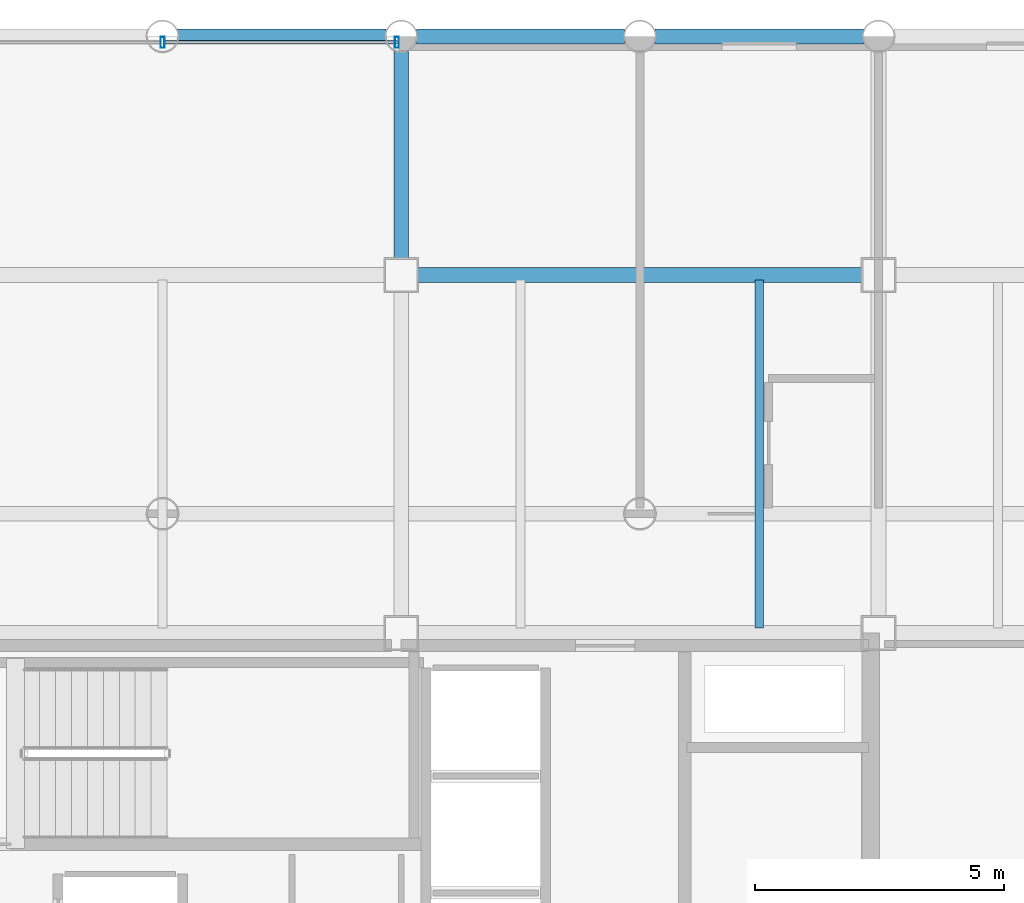
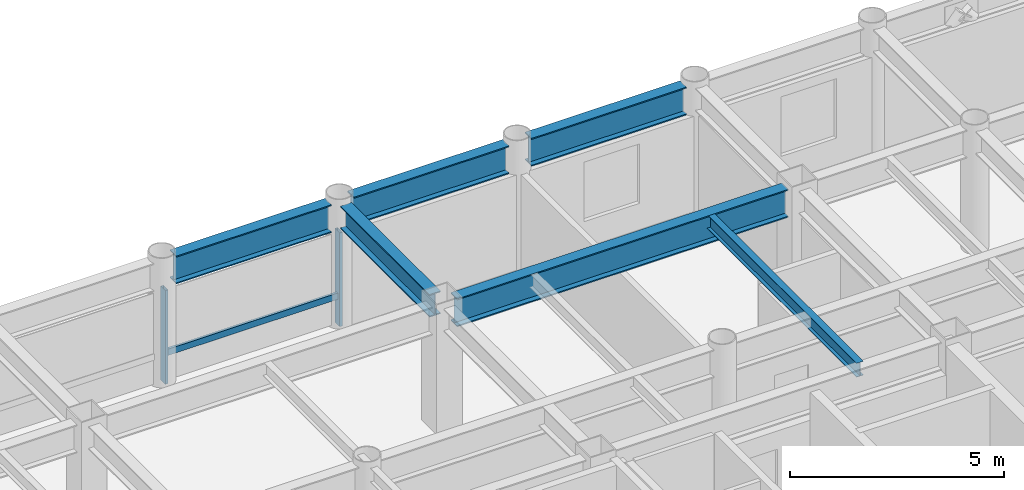
# One storey, part 12 of 19: 6 beams, 3 members, 1 element without a shape of its own.
"""IFC4 building model written with IfcOpenShell, lengths in metres."""

from ifc_helpers import new_model, si_unit, direction, frame, origin, origin_2d, place, context, subcontext, project, spatial, hollow_rectangle, i_section, extrude, material, layer, layer_set, material_profile, profile_set, type_object, element, aggregate, save


model = new_model("IFC4")

# Units and contexts
model_context = context("Model", 3, precision=1e-05, world=origin(), true_north=direction((0.0, 1.0)))
body_context = subcontext(model_context, "Body", "Model", "MODEL_VIEW")
ifc_project = project(units=[si_unit("LENGTHUNIT", "METRE"), si_unit("AREAUNIT", "SQUARE_METRE"), si_unit("VOLUMEUNIT", "CUBIC_METRE"), si_unit("PLANEANGLEUNIT", "RADIAN"), si_unit("MASSUNIT", "GRAM", prefix="KILO")], contexts=[model_context])

# Site, building, storey
site_placement = place(None, origin())
site = spatial("IfcSite", under=ifc_project, at=site_placement, CompositionType="ELEMENT")
building_placement = place(site_placement, origin())
building = spatial("IfcBuilding", under=site, at=building_placement, Name="Kallvorn Hotel Tower", CompositionType="ELEMENT")
storey_placement = place(building_placement, frame((0.0, 0.0, 165.5)))
storey = spatial("IfcBuildingStorey", under=building, at=storey_placement, Name="L41", CompositionType="ELEMENT", Elevation=165.5)

# Beams
ifc_material_1 = material(Name="Structural steel S355JR", Category="steel")
ifc_material_profile_1 = material_profile(ifc_material_1, i_section(OverallWidth=0.300048828125, OverallDepth=0.64990234375, WebThickness=0.01611328125, FlangeThickness=0.031005859375, at=origin_2d()), Name="HE 650 B")
ifc_profile_set_1 = profile_set([ifc_material_profile_1], Name="Structural steel S355JR")
beam_type_1 = type_object("IfcBeamType", Name="BM_HE650B", PredefinedType="BEAM", material=ifc_profile_set_1)
beam_1_placement = place(storey_placement, frame((4.800048828125, 14.72509765625, 3.195068359375), z_axis=(0.0, 1.0, 0.0), x_axis=(-1.0, 0.0, 0.0)))
element("IfcBeam", 1, at=beam_1_placement, inside=storey, type_object=beam_type_1, Name="L42 Primary Y-Girder 118", PredefinedType="BEAM", context=body_context, shape_type="SweptSolid", body=[
    extrude(i_section(OverallWidth=0.300048828125, OverallDepth=0.64990234375, WebThickness=0.01611328125, FlangeThickness=0.031005859375, at=origin_2d()), origin(), (0.0, 0.0, 1.0), 4.169921875),
])
ifc_material_2 = material(Name="Structural steel S355JR", Category="steel")
ifc_material_profile_2 = material_profile(ifc_material_2, i_section(OverallWidth=0.300048828125, OverallDepth=0.800048828125, WebThickness=0.017578125, FlangeThickness=0.032958984375, at=origin_2d()), Name="HE 800 B")
ifc_profile_set_2 = profile_set([ifc_material_profile_2], Name="Structural steel S355JR")
beam_type_2 = type_object("IfcBeamType", Name="BM_HE800B", PredefinedType="BEAM", material=ifc_profile_set_2)
beam_2_placement = place(storey_placement, frame((5.125, 14.39990234375, 3.1201171875), z_axis=(1.0, 0.0, 0.0), x_axis=(0.0, 1.0, 0.0)))
element("IfcBeam", 2, at=beam_2_placement, inside=storey, type_object=beam_type_2, Name="L42 Primary X-Girder 57", PredefinedType="BEAM", context=body_context, shape_type="SweptSolid", body=[
    extrude(i_section(OverallWidth=0.300048828125, OverallDepth=0.800048828125, WebThickness=0.017578125, FlangeThickness=0.032958984375, at=origin_2d()), origin(), (0.0, 0.0, 1.0), 8.949951171875),
])
beam_3_placement = place(storey_placement, frame((0.304931640625, 19.199951171875, 3.1201171875), z_axis=(1.0, 0.0, 0.0), x_axis=(0.0, 1.0, 0.0)))
element("IfcBeam", 3, at=beam_3_placement, inside=storey, type_object=beam_type_2, Name="L42 Primary X-Girder 67", PredefinedType="BEAM", context=body_context, shape_type="SweptSolid", body=[
    extrude(i_section(OverallWidth=0.300048828125, OverallDepth=0.800048828125, WebThickness=0.017578125, FlangeThickness=0.032958984375, at=origin_2d()), origin(), (0.0, 0.0, 1.0), 4.190185546875),
])
for number, where, z_axis, x_axis, name in (
    (4, (5.10498046875, 19.199951171875, 3.1201171875), (1.0, 0.0, 0.0), (0.0, 1.0, 0.0), "L42 Primary X-Girder 68"),
    (5, (9.905029296875, 19.199951171875, 3.1201171875), (1.0, 0.0, 0.0), (0.0, 1.0, 0.0), "L42 Primary X-Girder 69"),
):
    element("IfcBeam", number, at=place(storey_placement, frame(where, z_axis=z_axis, x_axis=x_axis)), inside=storey, type_object=beam_type_2, Name=name, PredefinedType="BEAM", context=body_context, shape_type="SweptSolid", body=[
        extrude(i_section(OverallWidth=0.300048828125, OverallDepth=0.800048828125, WebThickness=0.017578125, FlangeThickness=0.032958984375, at=origin_2d()), origin(), (0.0, 0.0, 1.0), 4.18994140625),
    ])
ifc_material_3 = material(Name="Structural steel S355JR", Category="steel")
ifc_material_profile_3 = material_profile(ifc_material_3, i_section(OverallWidth=0.179931640625, OverallDepth=0.39990234375, WebThickness=0.008544921875, FlangeThickness=0.013427734375, at=origin_2d()), Name="IPE 400")
ifc_profile_set_3 = profile_set([ifc_material_profile_3], Name="Structural steel S355JR")
beam_type_3 = type_object("IfcBeamType", Name="BM_IPE400", PredefinedType="JOIST", material=ifc_profile_set_3)
beam_4_placement = place(storey_placement, frame((12.0, 7.300048828125, 3.320068359375), z_axis=(0.0, 1.0, 0.0), x_axis=(-1.0, 0.0, 0.0)))
element("IfcBeam", 6, at=beam_4_placement, inside=storey, type_object=beam_type_3, Name="L42 Secondary Composite Joist 205", PredefinedType="JOIST", context=body_context, shape_type="SweptSolid", body=[
    extrude(i_section(OverallWidth=0.179931640625, OverallDepth=0.39990234375, WebThickness=0.008544921875, FlangeThickness=0.013427734375, at=origin_2d()), origin(), (0.0, 0.0, 1.0), 7.0),
])

# Curtain wall, members
ifc_material_4 = material(Name="Thermally broken black-anodised aluminium AA 6063-T6", Category="aluminium")
ifc_layer = layer(ifc_material_4, 0.2099609375)
ifc_layer_set = layer_set([ifc_layer], Name="CW_SYS_4_HOTEL_MID")
curtain_wall_type = type_object("IfcCurtainWallType", Name="CW_SYS_4_HOTEL_MID", PredefinedType="USERDEFINED", material=ifc_layer_set)
curtain_wall_placement = place(storey_placement, origin())
curtain_wall = element("IfcCurtainWall", 7, at=curtain_wall_placement, inside=storey, type_object=curtain_wall_type, Name="L41 Dark-Glass Curtain Wall CW-L41-NC", ObjectType="UNITISED CURTAIN WALL", PredefinedType="USERDEFINED")
ifc_material_5 = material(Name="Thermally broken black-anodised aluminium AA 6063-T6", Category="aluminium")
ifc_material_profile_4 = material_profile(ifc_material_5, hollow_rectangle(XDim=0.080078125, YDim=0.219970703125, WallThickness=0.0048828125, at=origin_2d()), Name="MUL 220x80")
ifc_profile_set_4 = profile_set([ifc_material_profile_4], Name="Thermally broken black-anodised aluminium AA 6063-T6")
member_type_1 = type_object("IfcMemberType", Name="CW_MULLION_220x80", PredefinedType="MULLION", material=ifc_profile_set_4)
member_1_placement = place(storey_placement, frame((0.0, 19.080078125, 0.02001953125), z_axis=(0.0, 0.0, 1.0), x_axis=(1.0, 0.0, 0.0)))
member_1 = element("IfcMember", 8, at=member_1_placement, type_object=member_type_1, Name="CW-L41-NC Mullion 01", PredefinedType="MULLION", context=body_context, shape_type="SweptSolid", body=[
    extrude(hollow_rectangle(XDim=0.080078125, YDim=0.219970703125, WallThickness=0.0048828125, at=origin_2d()), origin(), (0.0, 0.0, 1.0), 2.679931640625),
])
member_2_placement = place(storey_placement, frame((4.7099609375, 19.080078125, 0.02001953125), z_axis=(0.0, 0.0, 1.0), x_axis=(1.0, 0.0, 0.0)))
member_2 = element("IfcMember", 9, at=member_2_placement, type_object=member_type_1, Name="CW-L41-NC Mullion 02", PredefinedType="MULLION", context=body_context, shape_type="SweptSolid", body=[
    extrude(hollow_rectangle(XDim=0.080078125, YDim=0.219970703125, WallThickness=0.0048828125, at=origin_2d()), origin(), (0.0, 0.0, 1.0), 2.679931640625),
])
ifc_material_6 = material(Name="Thermally broken black-anodised aluminium AA 6063-T6", Category="aluminium")
ifc_material_profile_5 = material_profile(ifc_material_6, hollow_rectangle(XDim=0.070068359375, YDim=0.179931640625, WallThickness=0.00390625, at=origin_2d()), Name="TRN 180x70")
ifc_profile_set_5 = profile_set([ifc_material_profile_5], Name="Thermally broken black-anodised aluminium AA 6063-T6")
member_type_2 = type_object("IfcMemberType", Name="CW_TRANSOM_180x70", PredefinedType="USERDEFINED", material=ifc_profile_set_5)
member_3_placement = place(storey_placement, frame((0.0400390625, 19.080078125, 0.85009765625), z_axis=(1.0, 0.0, 0.0), x_axis=(0.0, 1.0, 0.0)))
member_3 = element("IfcMember", 10, at=member_3_placement, type_object=member_type_2, Name="CW-L41-NC Transom 01M", ObjectType="TRANSOM", PredefinedType="USERDEFINED", context=body_context, shape_type="SweptSolid", body=[
    extrude(hollow_rectangle(XDim=0.070068359375, YDim=0.179931640625, WallThickness=0.00390625, at=origin_2d()), origin(), (0.0, 0.0, 1.0), 4.669921875),
])
aggregate(curtain_wall, [member_1, member_2, member_3])

save(model, "model.ifc")
